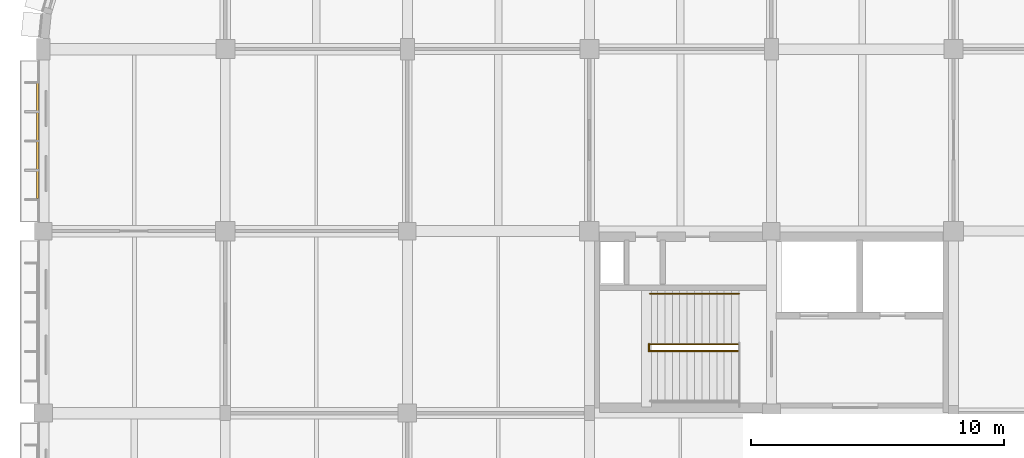
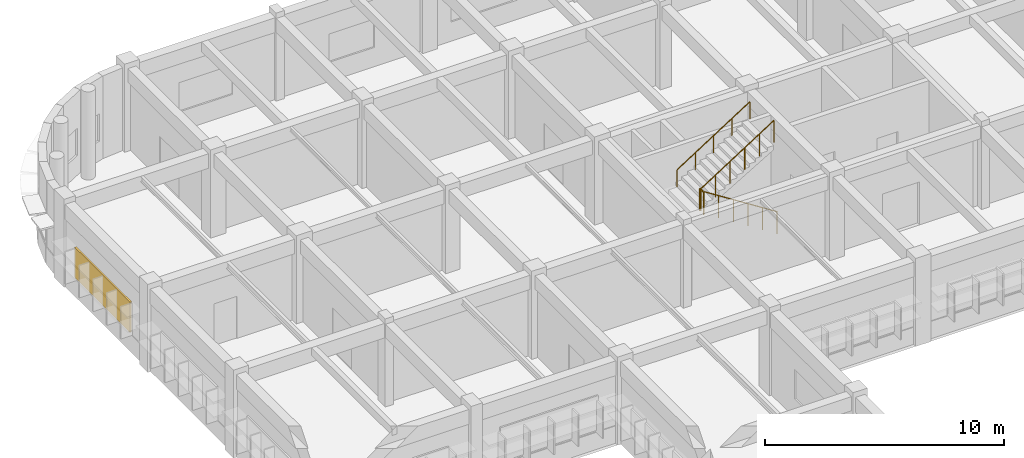
# One storey, part 59 of 61: 4 railings, 1 shading device.
"""IFC4 building model written with IfcOpenShell, lengths in metres."""

from ifc_helpers import new_model, si_unit, direction, frame, origin, origin_2d, place, context, subcontext, project, spatial, rectangle, circle, extrude, material, layer, layer_set, type_object, element, save


model = new_model("IFC4")

# Units and contexts
model_context = context("Model", 3, precision=1e-05, world=origin(), true_north=direction((0.0, 1.0)))
body_context = subcontext(model_context, "Body", "Model", "MODEL_VIEW")
ifc_project = project(units=[si_unit("LENGTHUNIT", "METRE"), si_unit("AREAUNIT", "SQUARE_METRE"), si_unit("VOLUMEUNIT", "CUBIC_METRE"), si_unit("PLANEANGLEUNIT", "RADIAN"), si_unit("MASSUNIT", "GRAM", prefix="KILO")], contexts=[model_context])

# Site, building, storey
site_placement = place(None, origin())
site = spatial("IfcSite", under=ifc_project, at=site_placement, CompositionType="ELEMENT")
building_placement = place(site_placement, origin())
building = spatial("IfcBuilding", under=site, at=building_placement, Name="Thalmaran Polytechnic", CompositionType="ELEMENT")
storey_placement = place(building_placement, frame((0.0, 0.0, 9.89990234375)))
storey = spatial("IfcBuildingStorey", under=building, at=storey_placement, Name="L02", CompositionType="ELEMENT", Elevation=9.89990234375)

# Railings
ifc_material_1 = material(Name="Stainless steel 316", Category="steel")
railing_type_1 = type_object("IfcRailingType", Name="RL-GR01", PredefinedType="GUARDRAIL", material=ifc_material_1)
railing_1_placement = place(storey_placement, frame((27.52001953125, 103.260009765625, 0.0)))
element("IfcRailing", 1, at=railing_1_placement, inside=storey, type_object=railing_type_1, Name="ST2 L02 Lower Flight Guardrail", PredefinedType="GUARDRAIL", context=body_context, shape_type="SweptSolid", body=[
    extrude(circle(Radius=0.02392578125, at=origin_2d()), frame((0.0, 0.0, 1.1259765625), z_axis=(-0.84257692701, 0.0, 0.53857601327), x_axis=(0.0, -1.0, 0.0)), (0.0, 0.0, 1.0), 4.177734375),
    extrude(circle(Radius=0.02099609375, at=origin_2d()), origin(), (0.0, 0.0, 1.0), 1.101806640625),
    extrude(circle(Radius=0.02099609375, at=origin_2d()), frame((-0.7041015625, 0.0, 0.449951171875)), (0.0, 0.0, 1.0), 1.101806640625),
    extrude(circle(Radius=0.02099609375, at=origin_2d()), frame((-1.407958984375, 0.0, 0.89990234375)), (0.0, 0.0, 1.0), 1.101806640625),
    extrude(circle(Radius=0.02099609375, at=origin_2d()), frame((-2.112060546875, 0.0, 1.35009765625)), (0.0, 0.0, 1.0), 1.101806640625),
    extrude(circle(Radius=0.02099609375, at=origin_2d()), frame((-2.81591796875, 0.0, 1.800048828125)), (0.0, 0.0, 1.0), 1.101806640625),
    extrude(circle(Radius=0.02099609375, at=origin_2d()), frame((-3.52001953125, 0.0, 2.25)), (0.0, 0.0, 1.0), 1.101806640625),
])
railing_2_placement = place(storey_placement, frame((23.9599609375, 103.239990234375, 2.25)))
element("IfcRailing", 2, at=railing_2_placement, inside=storey, type_object=railing_type_1, Name="ST2 L02 Half-Landing Well Guardrail", PredefinedType="GUARDRAIL", context=body_context, shape_type="SweptSolid", body=[
    extrude(circle(Radius=0.02392578125, at=origin_2d()), frame((0.0, 0.0, 1.1259765625), z_axis=(0.0, 1.0, 0.0), x_axis=(-1.0, 0.0, 0.0)), (0.0, 0.0, 1.0), 0.300048828125),
    extrude(circle(Radius=0.02099609375, at=origin_2d()), origin(), (0.0, 0.0, 1.0), 1.101806640625),
    extrude(circle(Radius=0.02099609375, at=origin_2d()), frame((0.0, 0.300048828125, 0.0)), (0.0, 0.0, 1.0), 1.101806640625),
])
railing_3_placement = place(storey_placement, frame((24.0, 103.52001953125, 2.25)))
element("IfcRailing", 3, at=railing_3_placement, inside=storey, type_object=railing_type_1, Name="ST2 L02 Upper Flight Guardrail", PredefinedType="GUARDRAIL", context=body_context, shape_type="SweptSolid", body=[
    extrude(circle(Radius=0.02392578125, at=origin_2d()), frame((0.0, 0.0, 1.1259765625), z_axis=(0.84257692701, 0.0, 0.53857601327), x_axis=(0.0, 1.0, 0.0)), (0.0, 0.0, 1.0), 4.177734375),
    extrude(circle(Radius=0.02099609375, at=origin_2d()), origin(), (0.0, 0.0, 1.0), 1.101806640625),
    extrude(circle(Radius=0.02099609375, at=origin_2d()), frame((0.7041015625, 0.0, 0.449951171875)), (0.0, 0.0, 1.0), 1.101806640625),
    extrude(circle(Radius=0.02099609375, at=origin_2d()), frame((1.407958984375, 0.0, 0.89990234375)), (0.0, 0.0, 1.0), 1.101806640625),
    extrude(circle(Radius=0.02099609375, at=origin_2d()), frame((2.112060546875, 0.0, 1.35009765625)), (0.0, 0.0, 1.0), 1.101806640625),
    extrude(circle(Radius=0.02099609375, at=origin_2d()), frame((2.81591796875, 0.0, 1.800048828125)), (0.0, 0.0, 1.0), 1.101806640625),
    extrude(circle(Radius=0.02099609375, at=origin_2d()), frame((3.52001953125, 0.0, 2.25)), (0.0, 0.0, 1.0), 1.101806640625),
])
railing_type_2 = type_object("IfcRailingType", Name="RL-HR01", PredefinedType="HANDRAIL", material=ifc_material_1)
railing_4_placement = place(storey_placement, frame((24.0, 105.52001953125, 2.25)))
element("IfcRailing", 4, at=railing_4_placement, inside=storey, type_object=railing_type_2, Name="ST2 L02 Flight 2 Handrail", PredefinedType="HANDRAIL", context=body_context, shape_type="SweptSolid", body=[
    extrude(circle(Radius=0.02392578125, at=origin_2d()), frame((0.0, 0.0, 0.8759765625), z_axis=(0.84257692701, 0.0, 0.53857601327), x_axis=(0.0, 1.0, 0.0)), (0.0, 0.0, 1.0), 4.177734375),
    extrude(circle(Radius=0.02099609375, at=origin_2d()), origin(), (0.0, 0.0, 1.0), 0.851806640625),
    extrude(circle(Radius=0.02099609375, at=origin_2d()), frame((0.8798828125, 0.0, 0.5625)), (0.0, 0.0, 1.0), 0.851806640625),
    extrude(circle(Radius=0.02099609375, at=origin_2d()), frame((1.760009765625, 0.0, 1.125)), (0.0, 0.0, 1.0), 0.851806640625),
    extrude(circle(Radius=0.02099609375, at=origin_2d()), frame((2.64013671875, 0.0, 1.6875)), (0.0, 0.0, 1.0), 0.851806640625),
    extrude(circle(Radius=0.02099609375, at=origin_2d()), frame((3.52001953125, 0.0, 2.25)), (0.0, 0.0, 1.0), 0.851806640625),
])

# Shading device
ifc_material_2 = material(Name="Perforated anodised-bronze aluminium screen", Category="aluminium")
ifc_layer = layer(ifc_material_2, 0.080078125, Name="Perforated anodised-bronze aluminium screen")
ifc_layer_set = layer_set([ifc_layer], Name="Perforated anodised-bronze aluminium screen")
shading_device_type = type_object("IfcShadingDeviceType", Name="SH-JL01", PredefinedType="JALOUSIE", material=ifc_layer_set)
shading_device_placement = place(storey_placement, frame((-0.219970703125, 111.60009765625, 1.02490234375), z_axis=(0.0, 0.0, 1.0), x_axis=(0.0, 1.0, 0.0)))
element("IfcShadingDevice", 5, at=shading_device_placement, inside=storey, type_object=shading_device_type, Name="Anodised-Bronze Mashrabiya Solar Screen L02-020", PredefinedType="JALOUSIE", context=body_context, shape_type="SweptSolid", body=[
    extrude(rectangle(XDim=4.6259765625, YDim=0.080078125, at=origin_2d()), origin(), (0.0, 0.0, 1.0), 1.550048828125),
])

save(model, "model.ifc")
